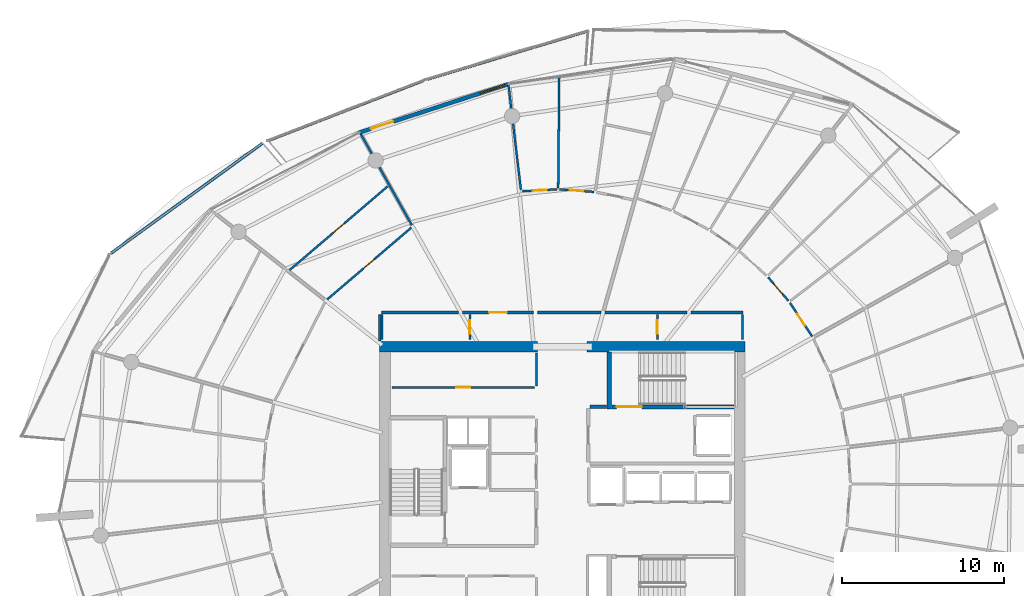
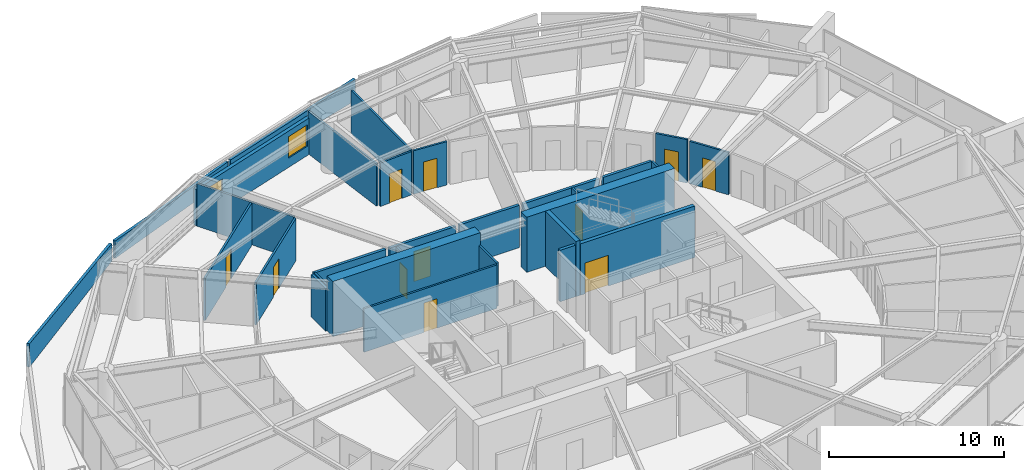
# One storey, part 22 of 31: 30 walls, 12 doors, 1 window, 13 openings.
"""IFC4 building model written with IfcOpenShell, lengths in metres."""

from ifc_helpers import new_model, si_unit, direction, frame, frame_2d, origin, place, context, subcontext, project, spatial, polyline, rectangle, outline, extrude, material, layer, layer_set, type_object, element, fill, save


model = new_model("IFC4")

# Units and contexts
model_context = context("Model", 3, precision=1e-05, world=origin(), true_north=direction((0.0, 1.0)))
body_context = subcontext(model_context, "Body", "Model", "MODEL_VIEW")
ifc_project = project(units=[si_unit("LENGTHUNIT", "METRE"), si_unit("AREAUNIT", "SQUARE_METRE"), si_unit("VOLUMEUNIT", "CUBIC_METRE"), si_unit("PLANEANGLEUNIT", "RADIAN"), si_unit("MASSUNIT", "GRAM", prefix="KILO")], contexts=[model_context])

# Site, building, storey
site_placement = place(None, origin())
site = spatial("IfcSite", under=ifc_project, at=site_placement, CompositionType="ELEMENT")
building_placement = place(site_placement, origin())
building = spatial("IfcBuilding", under=site, at=building_placement, Name="Kazma Halo Residences", CompositionType="ELEMENT")
storey_placement = place(building_placement, frame((0.0, 0.0, 259.800048828125)))
storey = spatial("IfcBuildingStorey", under=building, at=storey_placement, Name="L65", CompositionType="ELEMENT", Elevation=259.800048828125)

# Walls
ifc_material_1 = material(Name="White Concrete C50/60 Balustrade", Category="concrete")
ifc_layer_1 = layer(ifc_material_1, 0.179931640625)
ifc_layer_set_1 = layer_set([ifc_layer_1], Name="White Concrete C50/60 Balustrade")
wall_type_1 = type_object("IfcWallType", Name="WL-BAL-WAVE-180", PredefinedType="PARAPET", material=ifc_layer_set_1)
wall_1_placement = place(storey_placement, frame((50.019775390625, 69.83642578125, 0.0), z_axis=(0.0, 0.0, 1.0), x_axis=(-0.957650459476, -0.287933321214, 0.0)))
element("IfcWall", 1, at=wall_1_placement, inside=storey, type_object=wall_type_1, Name="L65 white wave balustrade wall NNW.1", PredefinedType="PARAPET", context=body_context, shape_type="SweptSolid", body=[
    extrude(outline(polyline([(0.0, 0.0), (10.405517578125, 0.0), (10.405517578125, 1.14794921875), (5.20263671875, 1.283935546875), (0.0, 1.48291015625), (0.0, 0.0)])), frame((0.0, 0.08984375, 0.0), z_axis=(0.0, -1.0, 0.0), x_axis=(1.0, 0.0, 0.0)), (0.0, 0.0, 1.0), 0.179931640625),
])
wall_2_placement = place(storey_placement, frame((39.828125, 66.762451171875, 0.0), z_axis=(0.0, 0.0, 1.0), x_axis=(-0.9326848715, -0.36069229334, 0.0)))
element("IfcWall", 2, at=wall_2_placement, inside=storey, type_object=wall_type_1, Name="L65 white wave balustrade wall NNW.2", PredefinedType="PARAPET", context=body_context, shape_type="SweptSolid", body=[
    extrude(outline(polyline([(0.0, 0.0), (10.281005859375, 0.0), (10.281005859375, 1.223876953125), (5.140380859375, 1.126953125), (0.0, 1.14794921875), (0.0, 0.0)])), frame((0.0, 0.08984375, 0.0), z_axis=(0.0, -1.0, 0.0), x_axis=(1.0, 0.0, 0.0)), (0.0, 0.0, 1.0), 0.179931640625),
])
wall_3_placement = place(storey_placement, frame((29.923583984375, 62.90478515625, 0.0), z_axis=(0.0, 0.0, 1.0), x_axis=(-0.809261043527, -0.587449200722, 0.0)))
element("IfcWall", 3, at=wall_3_placement, inside=storey, type_object=wall_type_1, Name="L65 white wave balustrade wall NW.1", PredefinedType="PARAPET", context=body_context, shape_type="SweptSolid", body=[
    extrude(outline(polyline([(0.0, 0.0), (11.576904296875, 0.0), (11.576904296875, 1.6318359375), (5.788330078125, 1.41796875), (0.0, 1.23291015625), (0.0, 0.0)])), frame((0.0, 0.08984375, 0.0), z_axis=(0.0, -1.0, 0.0), x_axis=(1.0, 0.0, 0.0)), (0.0, 0.0, 1.0), 0.179931640625),
])
ifc_material_2 = material(Name="Concrete C60/75", Category="concrete")
ifc_layer_2 = layer(ifc_material_2, 0.64990234375)
ifc_layer_set_2 = layer_set([ifc_layer_2], Name="Concrete C60/75")
wall_type_2 = type_object("IfcWallType", Name="WL-CORE-650", PredefinedType="SHEAR", material=ifc_layer_set_2)
for number, where, z_axis, x_axis, name in (
    (4, (37.14990234375, 50.324951171875, 0.0), (0.0, 0.0, 1.0), (1.0, 0.0, 0.0), "L65 central core shear wall NW"),
    (5, (49.949951171875, 50.324951171875, 0.0), (0.0, 0.0, 1.0), (1.0, 0.0, 0.0), "L65 central core shear wall NE"),
):
    element("IfcWall", number, at=place(storey_placement, frame(where, z_axis=z_axis, x_axis=x_axis)), inside=storey, type_object=wall_type_2, Name=name, PredefinedType="SHEAR", context=body_context, shape_type="SweptSolid", body=[
        extrude(rectangle(XDim=9.75, YDim=0.64990234375, at=frame_2d((4.875, 0.0))), origin(), (0.0, 0.0, 1.0), 3.849853515625),
    ])
ifc_layer_3 = layer(ifc_material_2, 0.280029296875)
ifc_layer_set_3 = layer_set([ifc_layer_3], Name="Concrete C60/75")
wall_type_3 = type_object("IfcWallType", Name="WL-CORE-ST-280", PredefinedType="SHEAR", material=ifc_layer_set_3)
wall_4_placement = place(storey_placement, frame((51.31005859375, 46.5, 0.0), z_axis=(0.0, 0.0, 1.0), x_axis=(0.0, 1.0, 0.0)))
element("IfcWall", 6, at=wall_4_placement, inside=storey, type_object=wall_type_3, Name="L65 stairwell bearing wall ST02-W", PredefinedType="SHEAR", context=body_context, shape_type="SweptSolid", body=[
    extrude(rectangle(XDim=3.5, YDim=0.280029296875, at=frame_2d((1.75, 0.0))), origin(), (0.0, 0.0, 1.0), 3.849853515625),
])

# Wall, opening, door
ifc_material_3 = material(Name="Acoustic Twin-Stud Gypsum")
ifc_layer_4 = layer(ifc_material_3, 0.179931640625)
ifc_layer_set_4 = layer_set([ifc_layer_4], Name="Acoustic Twin-Stud Gypsum")
wall_type_4 = type_object("IfcWallType", Name="WL-DEM-180", PredefinedType="PARTITIONING", material=ifc_layer_set_4)
wall_5_placement = place(storey_placement, frame((46.643310546875, 52.449951171875, 0.0), z_axis=(0.0, 0.0, 1.0), x_axis=(-1.0, 0.0, 0.0)))
wall_5 = element("IfcWall", 7, at=wall_5_placement, inside=storey, type_object=wall_type_4, Name="L65 Apartment 1 entrance corridor wall", PredefinedType="PARTITIONING", context=body_context, shape_type="SweptSolid", body=[
    extrude(rectangle(XDim=4.375732421875, YDim=0.179931640625, at=frame_2d((2.18798828125, 0.0))), origin(), (0.0, 0.0, 1.0), 2.95703125),
])
opening_1_placement = place(wall_5_placement, frame((1.6376953125, 0.0, 0.0)))
opening_1 = element("IfcOpeningElement", 8, at=opening_1_placement, cuts=wall_5, Name="Opening DA-1100", PredefinedType="OPENING", context=body_context, shape_type="SweptSolid", body=[
    extrude(rectangle(XDim=1.10009765625, YDim=2.10009765625, at=frame_2d((0.550048828125, 1.050048828125))), frame((0.0, 0.099853515625, 0.0), z_axis=(0.0, -1.0, 0.0), x_axis=(1.0, 0.0, 0.0)), (0.0, 0.0, 1.0), 0.199951171875),
])
ifc_material_4 = material(Name="Acoustic Walnut Fire Leaf")
door_type_1 = type_object("IfcDoorType", Name="DR-FD60-1100", OperationType="NOTDEFINED", PredefinedType="DOOR", material=ifc_material_4)
door_1_placement = place(opening_1_placement, origin())
door_1 = element("IfcDoor", 9, at=door_1_placement, inside=storey, type_object=door_type_1, Name="L65 Apartment 1 entrance fire door", OperationType="SINGLE_SWING_LEFT", OverallHeight=2.10009765625, OverallWidth=1.10009765625, PredefinedType="DOOR", context=body_context, shape_type="SweptSolid", body=[
    extrude(rectangle(XDim=1.10009765625, YDim=2.10009765625, at=frame_2d((0.550048828125, 1.050048828125))), frame((0.0, 0.02490234375, 0.0), z_axis=(0.0, -1.0, 0.0), x_axis=(1.0, 0.0, 0.0)), (0.0, 0.0, 1.0), 0.050048828125),
])
fill(opening_1, door_1)

# Walls
wall_6_placement = place(storey_placement, frame((50.8271484375, 52.449951171875, 0.0), z_axis=(0.0, 0.0, 1.0), x_axis=(-1.0, 0.0, 0.0)))
element("IfcWall", 10, at=wall_6_placement, inside=storey, type_object=wall_type_4, Name="L65 Apartment 1 inner wall 2", PredefinedType="PARTITIONING", context=body_context, shape_type="SweptSolid", body=[
    extrude(rectangle(XDim=3.94384765625, YDim=0.179931640625, at=frame_2d((1.971923828125, 0.0))), origin(), (0.0, 0.0, 1.0), 2.95703125),
])
wall_7_placement = place(storey_placement, frame((42.027587890625, 52.449951171875, 0.0), z_axis=(0.0, 0.0, 1.0), x_axis=(-1.0, 0.0, 0.0)))
element("IfcWall", 11, at=wall_7_placement, inside=storey, type_object=wall_type_4, Name="L65 Apartment 1 inner wall 4", PredefinedType="PARTITIONING", context=body_context, shape_type="SweptSolid", body=[
    extrude(rectangle(XDim=4.757568359375, YDim=0.179931640625, at=frame_2d((2.37890625, 0.0))), origin(), (0.0, 0.0, 1.0), 2.95703125),
])
wall_8_placement = place(storey_placement, frame((37.14990234375, 52.330078125, 0.0), z_axis=(0.0, 0.0, 1.0), x_axis=(0.0, -1.0, 0.0)))
element("IfcWall", 12, at=wall_8_placement, inside=storey, type_object=wall_type_4, Name="L65 Apartment 1 inner wall 4", PredefinedType="PARTITIONING", context=body_context, shape_type="SweptSolid", body=[
    extrude(rectangle(XDim=1.656494140625, YDim=0.179931640625, at=frame_2d((0.828125, 0.0))), origin(), (0.0, 0.0, 1.0), 2.95703125),
])
wall_9_placement = place(storey_placement, frame((59.580078125, 52.449951171875, 0.0), z_axis=(0.0, 0.0, 1.0), x_axis=(-1.0, 0.0, 0.0)))
element("IfcWall", 13, at=wall_9_placement, inside=storey, type_object=wall_type_4, Name="L65 Apartment 3 inner wall 0", PredefinedType="PARTITIONING", context=body_context, shape_type="SweptSolid", body=[
    extrude(rectangle(XDim=3.221923828125, YDim=0.179931640625, at=frame_2d((1.61083984375, 0.0))), origin(), (0.0, 0.0, 1.0), 2.95703125),
])
wall_10_placement = place(storey_placement, frame((56.1181640625, 52.449951171875, 0.0), z_axis=(0.0, 0.0, 1.0), x_axis=(-1.0, 0.0, 0.0)))
element("IfcWall", 14, at=wall_10_placement, inside=storey, type_object=wall_type_4, Name="L65 Apartment 3 inner wall 1", PredefinedType="PARTITIONING", context=body_context, shape_type="SweptSolid", body=[
    extrude(rectangle(XDim=5.051025390625, YDim=0.179931640625, at=frame_2d((2.525390625, 0.0))), origin(), (0.0, 0.0, 1.0), 2.95703125),
])

# Wall, openings, door, window
ifc_material_5 = material(Name="Insulated Pale-Metal Composite Wall")
ifc_layer_5 = layer(ifc_material_5, 0.239990234375)
ifc_layer_set_5 = layer_set([ifc_layer_5], Name="Insulated Pale-Metal Composite Wall")
wall_type_5 = type_object("IfcWallType", Name="WL-EXT-HOST-240", PredefinedType="SOLIDWALL", material=ifc_layer_set_5)
wall_11_placement = place(storey_placement, frame((45.14208984375, 66.563720703125, 0.0), z_axis=(0.0, 0.0, 1.0), x_axis=(-0.951055974609, -0.309018661507, 0.0)))
wall_11 = element("IfcWall", 15, at=wall_11_placement, inside=storey, type_object=wall_type_5, Name="L65 exterior terrace-access wall B04", PredefinedType="SOLIDWALL", context=body_context, shape_type="SweptSolid", body=[
    extrude(rectangle(XDim=9.745361328125, YDim=0.239990234375, at=frame_2d((4.87255859375, 0.0))), origin(), (0.0, 0.0, 1.0), 2.5400390625),
])
opening_2_placement = place(wall_11_placement, frame((7.525390625, 0.0, 0.0)))
opening_2 = element("IfcOpeningElement", 16, at=opening_2_placement, cuts=wall_11, Name="Opening DTR-1600", PredefinedType="OPENING", context=body_context, shape_type="SweptSolid", body=[
    extrude(rectangle(XDim=1.449951171875, YDim=2.14990234375, at=frame_2d((0.72509765625, 1.074951171875))), frame((0.0, 0.1298828125, 0.0), z_axis=(0.0, -1.0, 0.0), x_axis=(1.0, 0.0, 0.0)), (0.0, 0.0, 1.0), 0.260009765625),
])
opening_3_placement = place(wall_11_placement, frame((0.280029296875, 0.0, 0.64990234375)))
opening_3 = element("IfcOpeningElement", 17, at=opening_3_placement, cuts=wall_11, Name="Opening W-1800", PredefinedType="OPENING", context=body_context, shape_type="SweptSolid", body=[
    extrude(rectangle(XDim=1.60009765625, YDim=1.5, at=frame_2d((0.800048828125, 0.75))), frame((0.0, 0.1298828125, 0.0), z_axis=(0.0, -1.0, 0.0), x_axis=(1.0, 0.0, 0.0)), (0.0, 0.0, 1.0), 0.260009765625),
])
ifc_material_6 = material(Name="Aluminium AW-6063 T6 Double-Glazed Terrace Door", Category="aluminium")
door_type_2 = type_object("IfcDoorType", Name="DR-EXT-TERR-1600", OperationType="NOTDEFINED", PredefinedType="DOOR", material=ifc_material_6)
door_2_placement = place(opening_2_placement, origin())
door_2 = element("IfcDoor", 18, at=door_2_placement, inside=storey, type_object=door_type_2, Name="L65 B04 balcony terrace door", OperationType="DOUBLE_DOOR_SLIDING", OverallHeight=2.14990234375, OverallWidth=1.449951171875, PredefinedType="DOOR", context=body_context, shape_type="SweptSolid", body=[
    extrude(rectangle(XDim=1.449951171875, YDim=2.14990234375, at=frame_2d((0.72509765625, 1.074951171875))), frame((0.0, 0.02490234375, 0.0), z_axis=(0.0, -1.0, 0.0), x_axis=(1.0, 0.0, 0.0)), (0.0, 0.0, 1.0), 0.050048828125),
])
fill(opening_2, door_2)
ifc_material_7 = material(Name="Clear Triple-Silver Low-E Glass in Aluminium AW-6063 T6 Frame", Category="aluminium")
window_type = type_object("IfcWindowType", Name="WIN-RES-1800", PartitioningType="DOUBLE_PANEL_VERTICAL", PredefinedType="WINDOW", material=ifc_material_7)
window_placement = place(opening_3_placement, origin())
window = element("IfcWindow", 19, at=window_placement, inside=storey, type_object=window_type, Name="L65 B04 apartment window", OverallHeight=1.5, OverallWidth=1.60009765625, PartitioningType="SINGLE_PANEL", PredefinedType="WINDOW", context=body_context, shape_type="SweptSolid", body=[
    extrude(rectangle(XDim=1.60009765625, YDim=1.5, at=frame_2d((0.800048828125, 0.75))), frame((0.0, 0.030029296875, 0.0), z_axis=(0.0, -1.0, 0.0), x_axis=(1.0, 0.0, 0.0)), (0.0, 0.0, 1.0), 0.06005859375),
])
fill(opening_3, window)

# Walls
ifc_material_8 = material(Name="Fire-Rated Blockwork Masonry", Category="masonry")
ifc_layer_6 = layer(ifc_material_8, 0.199951171875)
ifc_layer_set_6 = layer_set([ifc_layer_6], Name="Fire-Rated Blockwork Masonry")
wall_type_6 = type_object("IfcWallType", Name="WL-FLB-200", PredefinedType="PARTITIONING", material=ifc_layer_set_6)
wall_12_placement = place(storey_placement, frame((50.139892578125, 46.6201171875, 0.0), z_axis=(0.0, 0.0, 1.0), x_axis=(1.0, 0.0, 0.0)))
element("IfcWall", 20, at=wall_12_placement, inside=storey, type_object=wall_type_6, Name="L65 east firefighting lobby north closure wall", PredefinedType="PARTITIONING", context=body_context, shape_type="SweptSolid", body=[
    extrude(rectangle(XDim=1.02001953125, YDim=0.199951171875, at=frame_2d((0.510009765625, 0.0))), origin(), (0.0, 0.0, 1.0), 3.58984375),
])
ifc_material_9 = material(Name="Gypsum Plasterboard Partition")
ifc_layer_7 = layer(ifc_material_9, 0.125)
ifc_layer_set_7 = layer_set([ifc_layer_7], Name="Gypsum Plasterboard Partition")
wall_type_7 = type_object("IfcWallType", Name="WL-PART-125", PredefinedType="PARTITIONING", material=ifc_layer_set_7)
wall_13_placement = place(storey_placement, frame((46.820068359375, 47.919921875, 0.0), z_axis=(0.0, 0.0, 1.0), x_axis=(0.0, 1.0, 0.0)))
element("IfcWall", 21, at=wall_13_placement, inside=storey, type_object=wall_type_7, Name="L65 reclaimed north east wall", PredefinedType="PARTITIONING", context=body_context, shape_type="SweptSolid", body=[
    extrude(rectangle(XDim=2.030029296875, YDim=0.125, at=frame_2d((1.01513671875, 0.0))), origin(), (0.0, 0.0, 1.0), 3.030029296875),
])

# Wall, opening, door
wall_14_placement = place(storey_placement, frame((37.919921875, 47.820068359375, 0.0), z_axis=(0.0, 0.0, 1.0), x_axis=(1.0, 0.0, 0.0)))
wall_14 = element("IfcWall", 22, at=wall_14_placement, inside=storey, type_object=wall_type_7, Name="L65 reclaimed north front wall", PredefinedType="PARTITIONING", context=body_context, shape_type="SweptSolid", body=[
    extrude(rectangle(XDim=8.780029296875, YDim=0.125, at=frame_2d((4.39013671875, 0.0))), origin(), (0.0, 0.0, 1.0), 3.030029296875),
])
opening_4_placement = place(wall_14_placement, frame((3.965087890625, 0.0, 0.0)))
opening_4 = element("IfcOpeningElement", 23, at=opening_4_placement, cuts=wall_14, Name="Opening DS-850", PredefinedType="OPENING", context=body_context, shape_type="SweptSolid", body=[
    extrude(rectangle(XDim=0.85009765625, YDim=2.06005859375, at=frame_2d((0.425048828125, 1.030029296875))), frame((0.0, 0.072509765625, 0.0), z_axis=(0.0, -1.0, 0.0), x_axis=(1.0, 0.0, 0.0)), (0.0, 0.0, 1.0), 0.14501953125),
])
ifc_material_10 = material(Name="Painted Steel Access Leaf", Category="steel")
door_type_3 = type_object("IfcDoorType", Name="DR-SVC-850", OperationType="NOTDEFINED", PredefinedType="DOOR", material=ifc_material_10)
door_3_placement = place(opening_4_placement, origin())
door_3 = element("IfcDoor", 24, at=door_3_placement, inside=storey, type_object=door_type_3, Name="L65 reclaimed north service door", OperationType="SINGLE_SWING_RIGHT", OverallHeight=2.06005859375, OverallWidth=0.85009765625, PredefinedType="DOOR", context=body_context, shape_type="SweptSolid", body=[
    extrude(rectangle(XDim=0.85009765625, YDim=2.06005859375, at=frame_2d((0.425048828125, 1.030029296875))), frame((0.0, 0.02490234375, 0.0), z_axis=(0.0, -1.0, 0.0), x_axis=(1.0, 0.0, 0.0)), (0.0, 0.0, 1.0), 0.050048828125),
])
fill(opening_4, door_3)

# Walls
for number, where, z_axis, x_axis, name in (
    (25, (37.2900390625, 50.77001953125, 0.0), (0.0, 0.0, 1.0), (0.0, 1.0, 0.0), "L65 west linen end wall"),
    (26, (59.56005859375, 50.77001953125, 0.0), (0.0, 0.0, 1.0), (0.0, 1.0, 0.0), "L65 east cupboard end wall"),
):
    element("IfcWall", number, at=place(storey_placement, frame(where, z_axis=z_axis, x_axis=x_axis)), inside=storey, type_object=wall_type_7, Name=name, PredefinedType="PARTITIONING", context=body_context, shape_type="SweptSolid", body=[
        extrude(rectangle(XDim=1.5400390625, YDim=0.125, at=frame_2d((0.77001953125, 0.0))), origin(), (0.0, 0.0, 1.0), 3.030029296875),
    ])

# Wall, opening, door
wall_15_placement = place(storey_placement, frame((42.7099609375, 50.7900390625, 0.0), z_axis=(0.0, 0.0, 1.0), x_axis=(0.0, 1.0, 0.0)))
wall_15 = element("IfcWall", 27, at=wall_15_placement, inside=storey, type_object=wall_type_7, Name="L65 floor linen store door wall", PredefinedType="PARTITIONING", context=body_context, shape_type="SweptSolid", body=[
    extrude(rectangle(XDim=1.52001953125, YDim=0.125, at=frame_2d((0.760009765625, 0.0))), origin(), (0.0, 0.0, 1.0), 2.95703125),
])
opening_5_placement = place(wall_15_placement, frame((0.3349609375, 0.0, 0.0)))
opening_5 = element("IfcOpeningElement", 28, at=opening_5_placement, cuts=wall_15, Name="Opening DS-850", PredefinedType="OPENING", context=body_context, shape_type="SweptSolid", body=[
    extrude(rectangle(XDim=0.85009765625, YDim=2.06005859375, at=frame_2d((0.425048828125, 1.030029296875))), frame((0.0, 0.072509765625, 0.0), z_axis=(0.0, -1.0, 0.0), x_axis=(1.0, 0.0, 0.0)), (0.0, 0.0, 1.0), 0.14501953125),
])
door_4_placement = place(opening_5_placement, origin())
door_4 = element("IfcDoor", 29, at=door_4_placement, inside=storey, type_object=door_type_3, Name="L65 floor linen store door", OperationType="SINGLE_SWING_RIGHT", OverallHeight=2.06005859375, OverallWidth=0.85009765625, PredefinedType="DOOR", context=body_context, shape_type="SweptSolid", body=[
    extrude(rectangle(XDim=0.85009765625, YDim=2.06005859375, at=frame_2d((0.425048828125, 1.030029296875))), frame((0.0, 0.02490234375, 0.0), z_axis=(0.0, -1.0, 0.0), x_axis=(1.0, 0.0, 0.0)), (0.0, 0.0, 1.0), 0.050048828125),
])
fill(opening_5, door_4)

wall_16_placement = place(storey_placement, frame((54.2900390625, 50.7900390625, 0.0), z_axis=(0.0, 0.0, 1.0), x_axis=(0.0, 1.0, 0.0)))
wall_16 = element("IfcWall", 30, at=wall_16_placement, inside=storey, type_object=wall_type_7, Name="L65 floor metering cupboard door wall", PredefinedType="PARTITIONING", context=body_context, shape_type="SweptSolid", body=[
    extrude(rectangle(XDim=1.52001953125, YDim=0.125, at=frame_2d((0.760009765625, 0.0))), origin(), (0.0, 0.0, 1.0), 3.030029296875),
])
opening_6_placement = place(wall_16_placement, frame((0.3349609375, 0.0, 0.0)))
opening_6 = element("IfcOpeningElement", 31, at=opening_6_placement, cuts=wall_16, Name="Opening DS-850", PredefinedType="OPENING", context=body_context, shape_type="SweptSolid", body=[
    extrude(rectangle(XDim=0.85009765625, YDim=2.06005859375, at=frame_2d((0.425048828125, 1.030029296875))), frame((0.0, 0.072509765625, 0.0), z_axis=(0.0, -1.0, 0.0), x_axis=(1.0, 0.0, 0.0)), (0.0, 0.0, 1.0), 0.14501953125),
])
door_5_placement = place(opening_6_placement, origin())
door_5 = element("IfcDoor", 32, at=door_5_placement, inside=storey, type_object=door_type_3, Name="L65 floor cupboard door", OperationType="SINGLE_SWING_LEFT", OverallHeight=2.06005859375, OverallWidth=0.85009765625, PredefinedType="DOOR", context=body_context, shape_type="SweptSolid", body=[
    extrude(rectangle(XDim=0.85009765625, YDim=2.06005859375, at=frame_2d((0.425048828125, 1.030029296875))), frame((0.0, 0.02490234375, 0.0), z_axis=(0.0, -1.0, 0.0), x_axis=(1.0, 0.0, 0.0)), (0.0, 0.0, 1.0), 0.050048828125),
])
fill(opening_6, door_5)

# Walls
wall_17_placement = place(storey_placement, frame((45.8662109375, 60.0283203125, 0.0), z_axis=(0.0, 0.0, 1.0), x_axis=(-0.117545094797, 0.993067545885, 0.0)))
element("IfcWall", 33, at=wall_17_placement, inside=storey, type_object=wall_type_7, Name="L65 Apartment 1 living radial partition 2", PredefinedType="PARTITIONING", context=body_context, shape_type="SweptSolid", body=[
    extrude(rectangle(XDim=6.54052734375, YDim=0.125, at=frame_2d((3.270263671875, 0.0))), origin(), (0.0, 0.0, 1.0), 2.95703125),
])
wall_18_placement = place(storey_placement, frame((48.1708984375, 60.143310546875, 0.0), z_axis=(0.0, 0.0, 1.0), x_axis=(0.009441272277, 0.999955430196, 0.0)))
element("IfcWall", 34, at=wall_18_placement, inside=storey, type_object=wall_type_7, Name="L65 Apartment 1 suite divider 2", PredefinedType="PARTITIONING", context=body_context, shape_type="SweptSolid", body=[
    extrude(rectangle(XDim=6.8525390625, YDim=0.125, at=frame_2d((3.42626953125, 0.0))), origin(), (0.0, 0.0, 1.0), 3.030029296875),
])

# Wall, opening, door
wall_19_placement = place(storey_placement, frame((50.369873046875, 59.892333984375, 0.0), z_axis=(0.0, 0.0, 1.0), x_axis=(-0.997336577358, 0.072936626353, 0.0)))
wall_19 = element("IfcWall", 35, at=wall_19_placement, inside=storey, type_object=wall_type_7, Name="L65 Apartment 1 Gourmet Kitchen hall wall", PredefinedType="PARTITIONING", context=body_context, shape_type="SweptSolid", body=[
    extrude(rectangle(XDim=2.12548828125, YDim=0.125, at=frame_2d((1.062744140625, 0.0))), origin(), (0.0, 0.0, 1.0), 3.030029296875),
])
opening_7_placement = place(wall_19_placement, frame((0.6376953125, 0.0, 0.0)))
opening_7 = element("IfcOpeningElement", 36, at=opening_7_placement, cuts=wall_19, Name="Opening DB-900", PredefinedType="OPENING", context=body_context, shape_type="SweptSolid", body=[
    extrude(rectangle(XDim=0.85009765625, YDim=2.06005859375, at=frame_2d((0.425048828125, 1.030029296875))), frame((0.0, 0.072509765625, 0.0), z_axis=(0.0, -1.0, 0.0), x_axis=(1.0, 0.0, 0.0)), (0.0, 0.0, 1.0), 0.14501953125),
])
ifc_material_11 = material(Name="Moisture-Sealed Timber Leaf", Category="wood")
door_type_4 = type_object("IfcDoorType", Name="DR-BTH-900", OperationType="NOTDEFINED", PredefinedType="DOOR", material=ifc_material_11)
door_6_placement = place(opening_7_placement, origin())
door_6 = element("IfcDoor", 37, at=door_6_placement, inside=storey, type_object=door_type_4, Name="L65 Apartment 1 Gourmet Kitchen door", OperationType="SINGLE_SWING_RIGHT", OverallHeight=2.06005859375, OverallWidth=0.85009765625, PredefinedType="DOOR", context=body_context, shape_type="SweptSolid", body=[
    extrude(rectangle(XDim=0.85009765625, YDim=2.06005859375, at=frame_2d((0.425048828125, 1.030029296875))), frame((0.0, 0.02490234375, 0.0), z_axis=(0.0, -1.0, 0.0), x_axis=(1.0, 0.0, 0.0)), (0.0, 0.0, 1.0), 0.050048828125),
])
fill(opening_7, door_6)

wall_20_placement = place(storey_placement, frame((48.09033203125, 60.048828125, 0.0), z_axis=(0.0, 0.0, 1.0), x_axis=(-0.998534362098, -0.054121416367, 0.0)))
wall_20 = element("IfcWall", 38, at=wall_20_placement, inside=storey, type_object=wall_type_7, Name="L65 Apartment 1 Primary Bedroom hall wall", PredefinedType="PARTITIONING", context=body_context, shape_type="SweptSolid", body=[
    extrude(rectangle(XDim=2.11572265625, YDim=0.125, at=frame_2d((1.057861328125, 0.0))), origin(), (0.0, 0.0, 1.0), 3.030029296875),
])
opening_8_placement = place(wall_20_placement, frame((0.6328125, 0.0, 0.0)))
opening_8 = element("IfcOpeningElement", 39, at=opening_8_placement, cuts=wall_20, Name="Opening DB-900", PredefinedType="OPENING", context=body_context, shape_type="SweptSolid", body=[
    extrude(rectangle(XDim=0.85009765625, YDim=2.06005859375, at=frame_2d((0.425048828125, 1.030029296875))), frame((0.0, 0.072509765625, 0.0), z_axis=(0.0, -1.0, 0.0), x_axis=(1.0, 0.0, 0.0)), (0.0, 0.0, 1.0), 0.14501953125),
])
door_7_placement = place(opening_8_placement, origin())
door_7 = element("IfcDoor", 40, at=door_7_placement, inside=storey, type_object=door_type_4, Name="L65 Apartment 1 Primary Bedroom door", OperationType="SINGLE_SWING_LEFT", OverallHeight=2.06005859375, OverallWidth=0.85009765625, PredefinedType="DOOR", context=body_context, shape_type="SweptSolid", body=[
    extrude(rectangle(XDim=0.85009765625, YDim=2.06005859375, at=frame_2d((0.425048828125, 1.030029296875))), frame((0.0, 0.02490234375, 0.0), z_axis=(0.0, -1.0, 0.0), x_axis=(1.0, 0.0, 0.0)), (0.0, 0.0, 1.0), 0.050048828125),
])
fill(opening_8, door_7)

# Wall
wall_21_placement = place(storey_placement, frame((39.12939453125, 57.83935546875, 0.0), z_axis=(0.0, 0.0, 1.0), x_axis=(-0.488617220279, 0.872498259051, 0.0)))
element("IfcWall", 41, at=wall_21_placement, inside=storey, type_object=wall_type_7, Name="L65 Apartment 1 radial partition 4", PredefinedType="PARTITIONING", context=body_context, shape_type="SweptSolid", body=[
    extrude(rectangle(XDim=6.440673828125, YDim=0.125, at=frame_2d((3.22021484375, 0.0))), origin(), (0.0, 0.0, 1.0), 2.95703125),
])

# Wall, opening, door
wall_22_placement = place(storey_placement, frame((39.0947265625, 57.6806640625, 0.0), z_axis=(0.0, 0.0, 1.0), x_axis=(-0.760396866349, -0.649458702033, 0.0)))
wall_22 = element("IfcWall", 42, at=wall_22_placement, inside=storey, type_object=wall_type_7, Name="L65 Apartment 1 East Study hall wall", PredefinedType="PARTITIONING", context=body_context, shape_type="SweptSolid", body=[
    extrude(rectangle(XDim=6.824462890625, YDim=0.125, at=frame_2d((3.412109375, 0.0))), origin(), (0.0, 0.0, 1.0), 2.95703125),
])
opening_9_placement = place(wall_22_placement, frame((2.962158203125, 0.0, 0.0)))
opening_9 = element("IfcOpeningElement", 43, at=opening_9_placement, cuts=wall_22, Name="Opening DI-950", PredefinedType="OPENING", context=body_context, shape_type="SweptSolid", body=[
    extrude(rectangle(XDim=0.89990234375, YDim=2.080078125, at=frame_2d((0.449951171875, 1.0400390625))), frame((0.0, 0.072509765625, 0.0), z_axis=(0.0, -1.0, 0.0), x_axis=(1.0, 0.0, 0.0)), (0.0, 0.0, 1.0), 0.14501953125),
])
ifc_material_12 = material(Name="Timber Veneer Flush Leaf", Category="wood")
door_type_5 = type_object("IfcDoorType", Name="DR-INT-950", OperationType="NOTDEFINED", PredefinedType="DOOR", material=ifc_material_12)
door_8_placement = place(opening_9_placement, origin())
door_8 = element("IfcDoor", 44, at=door_8_placement, inside=storey, type_object=door_type_5, Name="L65 Apartment 1 East Study door", OperationType="SINGLE_SWING_RIGHT", OverallHeight=2.080078125, OverallWidth=0.89990234375, PredefinedType="DOOR", context=body_context, shape_type="SweptSolid", body=[
    extrude(rectangle(XDim=0.89990234375, YDim=2.080078125, at=frame_2d((0.449951171875, 1.0400390625))), frame((0.0, 0.02490234375, 0.0), z_axis=(0.0, -1.0, 0.0), x_axis=(1.0, 0.0, 0.0)), (0.0, 0.0, 1.0), 0.050048828125),
])
fill(opening_9, door_8)

wall_23_placement = place(storey_placement, frame((37.65673828125, 60.248291015625, 0.0), z_axis=(0.0, 0.0, 1.0), x_axis=(-0.76041400447, -0.649438635905, 0.0)))
wall_23 = element("IfcWall", 45, at=wall_23_placement, inside=storey, type_object=wall_type_7, Name="L65 Apartment 1 West Master Bedroom divider wall", PredefinedType="PARTITIONING", context=body_context, shape_type="SweptSolid", body=[
    extrude(rectangle(XDim=7.97265625, YDim=0.125, at=frame_2d((3.986328125, 0.0))), origin(), (0.0, 0.0, 1.0), 2.95703125),
])
opening_10_placement = place(wall_23_placement, frame((3.536376953125, 0.0, 0.0)))
opening_10 = element("IfcOpeningElement", 46, at=opening_10_placement, cuts=wall_23, Name="Opening DI-950", PredefinedType="OPENING", context=body_context, shape_type="SweptSolid", body=[
    extrude(rectangle(XDim=0.89990234375, YDim=2.080078125, at=frame_2d((0.449951171875, 1.0400390625))), frame((0.0, 0.072509765625, 0.0), z_axis=(0.0, -1.0, 0.0), x_axis=(1.0, 0.0, 0.0)), (0.0, 0.0, 1.0), 0.14501953125),
])
door_9_placement = place(opening_10_placement, origin())
door_9 = element("IfcDoor", 47, at=door_9_placement, inside=storey, type_object=door_type_5, Name="L65 Apartment 1 West Master Bedroom door", OperationType="SINGLE_SWING_LEFT", OverallHeight=2.080078125, OverallWidth=0.89990234375, PredefinedType="DOOR", context=body_context, shape_type="SweptSolid", body=[
    extrude(rectangle(XDim=0.89990234375, YDim=2.080078125, at=frame_2d((0.449951171875, 1.0400390625))), frame((0.0, 0.02490234375, 0.0), z_axis=(0.0, -1.0, 0.0), x_axis=(1.0, 0.0, 0.0)), (0.0, 0.0, 1.0), 0.050048828125),
])
fill(opening_10, door_9)

wall_24_placement = place(storey_placement, frame((63.85009765625, 50.968017578125, 0.0), z_axis=(0.0, 0.0, 1.0), x_axis=(-0.550588918003, 0.834776523012, 0.0)))
wall_24 = element("IfcWall", 48, at=wall_24_placement, inside=storey, type_object=wall_type_7, Name="L65 Apartment 3 Gulf Master Bedroom hall wall", PredefinedType="PARTITIONING", context=body_context, shape_type="SweptSolid", body=[
    extrude(rectangle(XDim=2.484375, YDim=0.125, at=frame_2d((1.2421875, 0.0))), origin(), (0.0, 0.0, 1.0), 2.95703125),
])
opening_11_placement = place(wall_24_placement, frame((0.8173828125, 0.0, 0.0)))
opening_11 = element("IfcOpeningElement", 49, at=opening_11_placement, cuts=wall_24, Name="Opening DB-900", PredefinedType="OPENING", context=body_context, shape_type="SweptSolid", body=[
    extrude(rectangle(XDim=0.85009765625, YDim=2.06005859375, at=frame_2d((0.425048828125, 1.030029296875))), frame((0.0, 0.072509765625, 0.0), z_axis=(0.0, -1.0, 0.0), x_axis=(1.0, 0.0, 0.0)), (0.0, 0.0, 1.0), 0.14501953125),
])
door_10_placement = place(opening_11_placement, origin())
door_10 = element("IfcDoor", 50, at=door_10_placement, inside=storey, type_object=door_type_4, Name="L65 Apartment 3 Gulf Master Bedroom door", OperationType="SINGLE_SWING_LEFT", OverallHeight=2.06005859375, OverallWidth=0.85009765625, PredefinedType="DOOR", context=body_context, shape_type="SweptSolid", body=[
    extrude(rectangle(XDim=0.85009765625, YDim=2.06005859375, at=frame_2d((0.425048828125, 1.030029296875))), frame((0.0, 0.02490234375, 0.0), z_axis=(0.0, -1.0, 0.0), x_axis=(1.0, 0.0, 0.0)), (0.0, 0.0, 1.0), 0.050048828125),
])
fill(opening_11, door_10)

wall_25_placement = place(storey_placement, frame((62.3857421875, 53.169189453125, 0.0), z_axis=(0.0, 0.0, 1.0), x_axis=(-0.653885574284, 0.756593454732, 0.0)))
wall_25 = element("IfcWall", 51, at=wall_25_placement, inside=storey, type_object=wall_type_7, Name="L65 Apartment 3 Primary Study hall wall", PredefinedType="PARTITIONING", context=body_context, shape_type="SweptSolid", body=[
    extrude(rectangle(XDim=1.91357421875, YDim=0.125, at=frame_2d((0.956787109375, 0.0))), origin(), (0.0, 0.0, 1.0), 3.030029296875),
])
opening_12_placement = place(wall_25_placement, frame((0.53173828125, 0.0, 0.0)))
opening_12 = element("IfcOpeningElement", 52, at=opening_12_placement, cuts=wall_25, Name="Opening DB-900", PredefinedType="OPENING", context=body_context, shape_type="SweptSolid", body=[
    extrude(rectangle(XDim=0.85009765625, YDim=2.06005859375, at=frame_2d((0.425048828125, 1.030029296875))), frame((0.0, 0.072509765625, 0.0), z_axis=(0.0, -1.0, 0.0), x_axis=(1.0, 0.0, 0.0)), (0.0, 0.0, 1.0), 0.14501953125),
])
door_11_placement = place(opening_12_placement, origin())
door_11 = element("IfcDoor", 53, at=door_11_placement, inside=storey, type_object=door_type_4, Name="L65 Apartment 3 Primary Study door", OperationType="SINGLE_SWING_RIGHT", OverallHeight=2.06005859375, OverallWidth=0.85009765625, PredefinedType="DOOR", context=body_context, shape_type="SweptSolid", body=[
    extrude(rectangle(XDim=0.85009765625, YDim=2.06005859375, at=frame_2d((0.425048828125, 1.030029296875))), frame((0.0, 0.02490234375, 0.0), z_axis=(0.0, -1.0, 0.0), x_axis=(1.0, 0.0, 0.0)), (0.0, 0.0, 1.0), 0.050048828125),
])
fill(opening_12, door_11)

ifc_material_13 = material(Name="Concrete C50/60", Category="concrete")
ifc_layer_8 = layer(ifc_material_13, 0.25)
ifc_layer_set_8 = layer_set([ifc_layer_8], Name="Concrete C50/60")
wall_type_8 = type_object("IfcWallType", Name="WL-SHF-250", PredefinedType="SOLIDWALL", material=ifc_layer_set_8)
wall_26_placement = place(storey_placement, frame((51.47998046875, 46.6201171875, 0.0), z_axis=(0.0, 0.0, 1.0), x_axis=(1.0, 0.0, 0.0)))
wall_26 = element("IfcWall", 54, at=wall_26_placement, inside=storey, type_object=wall_type_8, Name="L65 exit stair ST-02 enclosure wall", PredefinedType="SOLIDWALL", context=body_context, shape_type="SweptSolid", body=[
    extrude(rectangle(XDim=7.5400390625, YDim=0.25, at=frame_2d((3.77001953125, 0.0))), origin(), (0.0, 0.0, 1.0), 3.58984375),
])
opening_13_placement = place(wall_26_placement, frame((0.300048828125, 0.0, 0.0)))
opening_13 = element("IfcOpeningElement", 55, at=opening_13_placement, cuts=wall_26, Name="Opening D-ST2", PredefinedType="OPENING", context=body_context, shape_type="SweptSolid", body=[
    extrude(rectangle(XDim=1.550048828125, YDim=2.14990234375, at=frame_2d((0.77490234375, 1.074951171875))), frame((0.0, 0.135009765625, 0.0), z_axis=(0.0, -1.0, 0.0), x_axis=(1.0, 0.0, 0.0)), (0.0, 0.0, 1.0), 0.27001953125),
])
ifc_material_14 = material(Name="Fire-Rated Double Steel Leaf", Category="steel")
door_type_6 = type_object("IfcDoorType", Name="DR-FD90-1550", OperationType="NOTDEFINED", PredefinedType="DOOR", material=ifc_material_14)
door_12_placement = place(opening_13_placement, origin())
door_12 = element("IfcDoor", 56, at=door_12_placement, inside=storey, type_object=door_type_6, Name="L65 exit stair ST-02 fire door", OperationType="DOUBLE_DOOR_SINGLE_SWING", OverallHeight=2.14990234375, OverallWidth=1.550048828125, PredefinedType="DOOR", context=body_context, shape_type="SweptSolid", body=[
    extrude(rectangle(XDim=1.550048828125, YDim=2.14990234375, at=frame_2d((0.77490234375, 1.074951171875))), frame((0.0, 0.02490234375, 0.0), z_axis=(0.0, -1.0, 0.0), x_axis=(1.0, 0.0, 0.0)), (0.0, 0.0, 1.0), 0.050048828125),
])
fill(opening_13, door_12)

save(model, "model.ifc")
